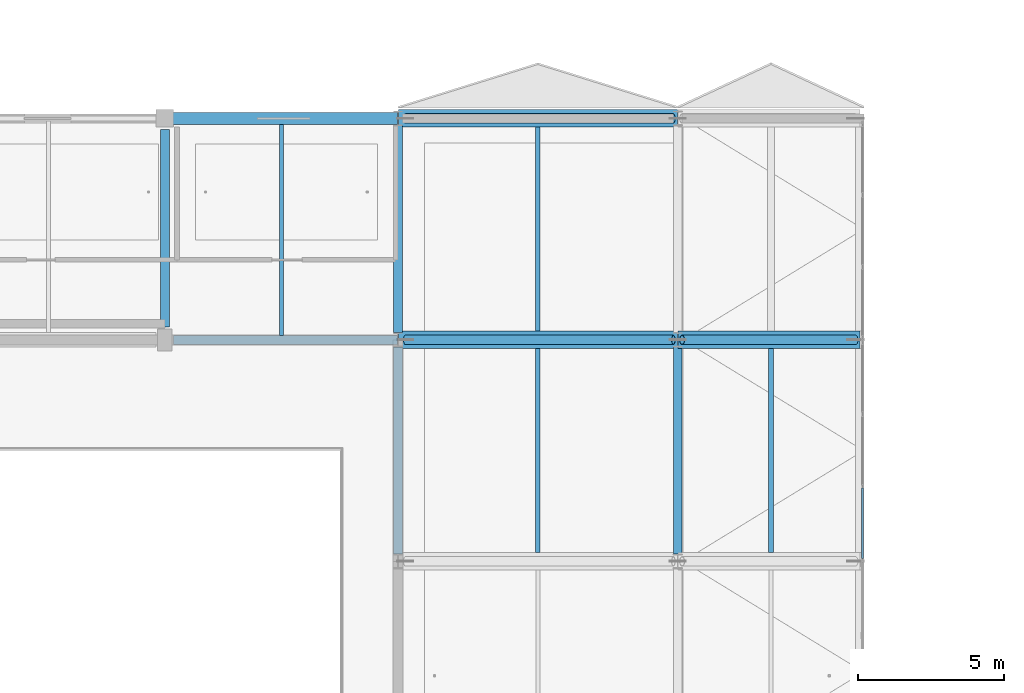
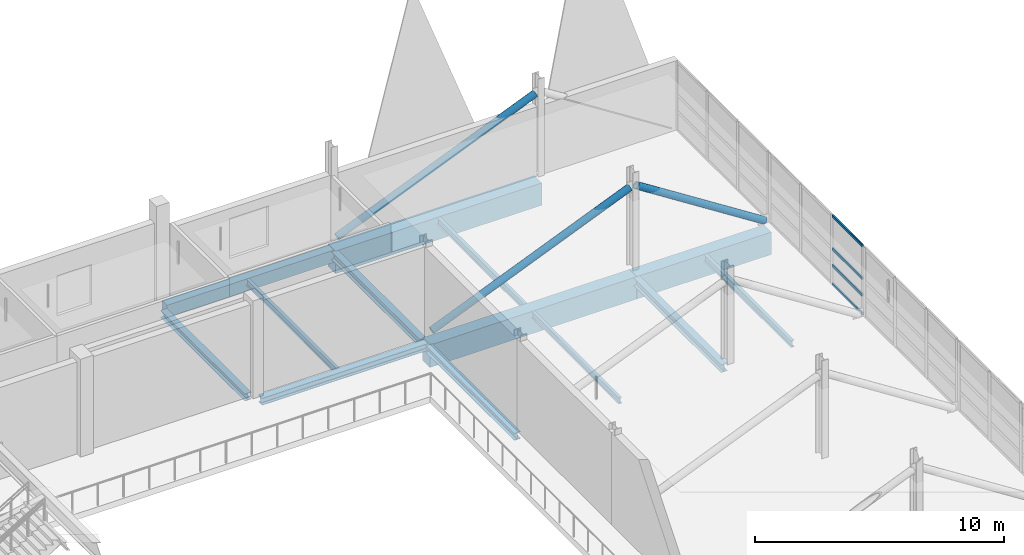
# One storey, part 23 of 147: 13 beams, 7 members, 1 element without a shape of its own.
"""IFC4 building model written with IfcOpenShell, lengths in metres."""

from ifc_helpers import new_model, si_unit, direction, frame, origin, origin_2d, place, context, subcontext, project, spatial, rectangle, hollow_rectangle, hollow_circle, i_section, extrude, material, material_profile, profile_set, type_object, element, aggregate, save


model = new_model("IFC4")

# Units and contexts
model_context = context("Model", 3, precision=1e-05, world=origin(), true_north=direction((0.0, 1.0)))
body_context = subcontext(model_context, "Body", "Model", "MODEL_VIEW")
ifc_project = project(units=[si_unit("LENGTHUNIT", "METRE"), si_unit("AREAUNIT", "SQUARE_METRE"), si_unit("VOLUMEUNIT", "CUBIC_METRE"), si_unit("PLANEANGLEUNIT", "RADIAN"), si_unit("MASSUNIT", "GRAM", prefix="KILO")], contexts=[model_context])

# Site, building, storey
site_placement = place(None, origin())
site = spatial("IfcSite", under=ifc_project, at=site_placement, CompositionType="ELEMENT")
building_placement = place(site_placement, origin())
building = spatial("IfcBuilding", under=site, at=building_placement, Name="Khelvaren Railside Concert Hall", CompositionType="ELEMENT")
storey_placement = place(building_placement, frame((0.0, 0.0, 5.39990234375)))
storey = spatial("IfcBuildingStorey", under=building, at=storey_placement, Name="L01", CompositionType="ELEMENT", Elevation=5.39990234375)

# Beams
ifc_material_1 = material(Name="Steel S355", Category="steel")
ifc_material_profile_1 = material_profile(ifc_material_1, i_section(OverallWidth=0.300048828125, OverallDepth=0.389892578125, WebThickness=0.010986328125, FlangeThickness=0.01904296875, FilletRadius=0.027099609375, at=origin_2d()), Name="HEA 400")
ifc_profile_set_1 = profile_set([ifc_material_profile_1], Name="Steel S355")
beam_type_1 = type_object("IfcBeamType", Name="BM23", PredefinedType="BEAM", material=ifc_profile_set_1)
for number, where, z_axis, x_axis, name in (
    (1, (40.0, 38.25, -0.494873046875), (0.0, 1.0, 0.0), (-1.0, 0.0, 0.0), "V1 L01 Beam Y6.6"),
    (2, (49.60009765625, 30.64990234375, -0.494873046875), (0.0, 1.0, 0.0), (-1.0, 0.0, 0.0), "V1 L01 Beam Y7.5"),
):
    element("IfcBeam", number, at=place(storey_placement, frame(where, z_axis=z_axis, x_axis=x_axis)), inside=storey, type_object=beam_type_1, Name=name, PredefinedType="BEAM", context=body_context, shape_type="SweptSolid", body=[
        extrude(i_section(OverallWidth=0.300048828125, OverallDepth=0.389892578125, WebThickness=0.010986328125, FlangeThickness=0.01904296875, FilletRadius=0.027099609375, at=origin_2d()), origin(), (0.0, 0.0, 1.0), 7.10009765625),
    ])
ifc_material_profile_2 = material_profile(ifc_material_1, i_section(OverallWidth=0.300048828125, OverallDepth=0.35009765625, WebThickness=0.010009765625, FlangeThickness=0.017578125, FilletRadius=0.027099609375, at=origin_2d()), Name="HEA 360")
ifc_profile_set_2 = profile_set([ifc_material_profile_2], Name="Steel S355")
beam_type_2 = type_object("IfcBeamType", Name="BM73", PredefinedType="BEAM", material=ifc_profile_set_2)
beam_1_placement = place(storey_placement, frame((32.300048828125, 38.0, -0.474853515625), z_axis=(1.0, 0.0, 0.0), x_axis=(0.0, 1.0, 0.0)))
element("IfcBeam", 3, at=beam_1_placement, inside=storey, type_object=beam_type_2, Name="V1 L01 Beam X6.5", PredefinedType="BEAM", context=body_context, shape_type="SweptSolid", body=[
    extrude(i_section(OverallWidth=0.300048828125, OverallDepth=0.35009765625, WebThickness=0.010009765625, FlangeThickness=0.017578125, FilletRadius=0.027099609375, at=origin_2d()), origin(), (0.0, 0.0, 1.0), 7.68994140625),
])
beam_2_placement = place(storey_placement, frame((32.0, 38.449951171875, -0.474853515625), z_axis=(0.0, 1.0, 0.0), x_axis=(-1.0, 0.0, 0.0)))
element("IfcBeam", 4, at=beam_2_placement, inside=storey, type_object=beam_type_2, Name="V1 L01 Beam Y5.6", PredefinedType="BEAM", context=body_context, shape_type="SweptSolid", body=[
    extrude(i_section(OverallWidth=0.300048828125, OverallDepth=0.35009765625, WebThickness=0.010009765625, FlangeThickness=0.017578125, FilletRadius=0.027099609375, at=origin_2d()), origin(), (0.0, 0.0, 1.0), 6.775146484375),
])
beam_3_placement = place(storey_placement, frame((40.0, 30.64990234375, -0.474853515625), z_axis=(0.0, 1.0, 0.0), x_axis=(-1.0, 0.0, 0.0)))
element("IfcBeam", 5, at=beam_3_placement, inside=storey, type_object=beam_type_2, Name="V1 L01 Beam Y6.5", PredefinedType="BEAM", context=body_context, shape_type="SweptSolid", body=[
    extrude(i_section(OverallWidth=0.300048828125, OverallDepth=0.35009765625, WebThickness=0.010009765625, FlangeThickness=0.017578125, FilletRadius=0.027099609375, at=origin_2d()), origin(), (0.0, 0.0, 1.0), 7.10009765625),
])

# Members
ifc_material_profile_3 = material_profile(ifc_material_1, hollow_circle(Radius=0.161865234375, WallThickness=0.01611328125, at=origin_2d()), Name="CHS 323.9x16")
ifc_profile_set_3 = profile_set([ifc_material_profile_3], Name="Steel S355")
member_type_1 = type_object("IfcMemberType", Name="BR78", PredefinedType="BRACE", material=ifc_profile_set_3)
member_1_placement = place(storey_placement, frame((49.75, 38.0, 3.960205078125), z_axis=(0.842137077221, 0.0, -0.539263519228), x_axis=(0.0, 1.0, 0.0)))
element("IfcMember", 6, at=member_1_placement, inside=storey, type_object=member_type_1, Name="V1 L01 Plaza Cantilever Truss Diagonal 6A", PredefinedType="BRACE", context=body_context, shape_type="SweptSolid", body=[
    extrude(hollow_circle(Radius=0.161865234375, WallThickness=0.01611328125, at=origin_2d()), origin(), (0.0, 0.0, 1.0), 7.065185546875),
])
for number, where, z_axis, x_axis, name in (
    (7, (40.25, 38.0, 0.150146484375), (0.923903885845, 0.0, 0.382624632925), (0.0, 1.0, 0.0), "V1 L01 Plaza Cantilever Truss Backspan Diagonal 6B"),
    (8, (40.25, 45.60009765625, 0.150146484375), (0.923903885845, 0.0, 0.382624632925), (0.0, 1.0, 0.0), "V1 L01 Plaza Cantilever Truss Backspan Diagonal 7B"),
):
    element("IfcMember", number, at=place(storey_placement, frame(where, z_axis=z_axis, x_axis=x_axis)), inside=storey, type_object=member_type_1, Name=name, PredefinedType="BRACE", context=body_context, shape_type="SweptSolid", body=[
        extrude(hollow_circle(Radius=0.161865234375, WallThickness=0.01611328125, at=origin_2d()), origin(), (0.0, 0.0, 1.0), 9.957763671875),
    ])

# Curtain wall, members
ifc_material_2 = material(Name="Double-glazed low-E dark acoustic glass", Category="glass")
curtain_wall_type = type_object("IfcCurtainWallType", Name="CW65", PredefinedType="USERDEFINED", material=ifc_material_2)
curtain_wall_placement = place(storey_placement, origin())
curtain_wall = element("IfcCurtainWall", 9, at=curtain_wall_placement, inside=storey, type_object=curtain_wall_type, Name="Unitised Curtain Wall CW-V1-L01-E-30", ObjectType="UNITISED CURTAIN WALL", PredefinedType="USERDEFINED")
ifc_material_3 = material(Name="Anodised architectural aluminium 6063-T6", Category="aluminium")
ifc_material_profile_4 = material_profile(ifc_material_3, hollow_rectangle(XDim=0.06494140625, YDim=0.139892578125, WallThickness=0.00390625, InnerFilletRadius=0.001953125, OuterFilletRadius=0.00390625, at=origin_2d()), Name="CWT 65x140x4")
ifc_profile_set_4 = profile_set([ifc_material_profile_4], Name="Anodised architectural aluminium 6063-T6")
member_type_2 = type_object("IfcMemberType", Name="CWT72", PredefinedType="USERDEFINED", material=ifc_profile_set_4)
member_2_placement = place(storey_placement, frame((55.93994140625, 32.9140625, 0.03271484375), z_axis=(0.0, -1.0, 0.0), x_axis=(1.0, 0.0, 0.0)))
member_2 = element("IfcMember", 10, at=member_2_placement, type_object=member_type_2, Name="CW65 transom 3.1", ObjectType="TRANSOM", PredefinedType="USERDEFINED", context=body_context, shape_type="SweptSolid", body=[
    extrude(hollow_rectangle(XDim=0.06494140625, YDim=0.139892578125, WallThickness=0.00390625, InnerFilletRadius=0.001953125, OuterFilletRadius=0.00390625, at=origin_2d()), origin(), (0.0, 0.0, 1.0), 2.4091796875),
])
member_3_placement = place(storey_placement, frame((55.93994140625, 32.9140625, 0.9501953125), z_axis=(0.0, -1.0, 0.0), x_axis=(1.0, 0.0, 0.0)))
member_3 = element("IfcMember", 11, at=member_3_placement, type_object=member_type_2, Name="CW65 transom 3.2", ObjectType="TRANSOM", PredefinedType="USERDEFINED", context=body_context, shape_type="SweptSolid", body=[
    extrude(hollow_rectangle(XDim=0.06494140625, YDim=0.139892578125, WallThickness=0.00390625, InnerFilletRadius=0.001953125, OuterFilletRadius=0.00390625, at=origin_2d()), origin(), (0.0, 0.0, 1.0), 2.4091796875),
])
member_4_placement = place(storey_placement, frame((55.93994140625, 32.9140625, 1.76806640625), z_axis=(0.0, -1.0, 0.0), x_axis=(1.0, 0.0, 0.0)))
member_4 = element("IfcMember", 12, at=member_4_placement, type_object=member_type_2, Name="CW65 transom 3.3", ObjectType="TRANSOM", PredefinedType="USERDEFINED", context=body_context, shape_type="SweptSolid", body=[
    extrude(hollow_rectangle(XDim=0.06494140625, YDim=0.139892578125, WallThickness=0.00390625, InnerFilletRadius=0.001953125, OuterFilletRadius=0.00390625, at=origin_2d()), origin(), (0.0, 0.0, 1.0), 2.4091796875),
])
member_5_placement = place(storey_placement, frame((55.93994140625, 32.9140625, 3.36767578125), z_axis=(0.0, -1.0, 0.0), x_axis=(1.0, 0.0, 0.0)))
member_5 = element("IfcMember", 13, at=member_5_placement, type_object=member_type_2, Name="CW65 transom 3.4", ObjectType="TRANSOM", PredefinedType="USERDEFINED", context=body_context, shape_type="SweptSolid", body=[
    extrude(hollow_rectangle(XDim=0.06494140625, YDim=0.139892578125, WallThickness=0.00390625, InnerFilletRadius=0.001953125, OuterFilletRadius=0.00390625, at=origin_2d()), origin(), (0.0, 0.0, 1.0), 2.4091796875),
])
aggregate(curtain_wall, [member_2, member_3, member_4, member_5])

# Beams
ifc_material_4 = material(Name="Concrete C40/50", Category="concrete")
ifc_material_profile_5 = material_profile(ifc_material_4, rectangle(XDim=0.60009765625, YDim=1.10009765625, at=origin_2d()), Name="RCB 600x1100")
ifc_profile_set_5 = profile_set([ifc_material_profile_5], Name="Concrete C40/50")
beam_type_3 = type_object("IfcBeamType", Name="GR15", PredefinedType="T_BEAM", material=ifc_profile_set_5)
beam_4_placement = place(storey_placement, frame((40.010009765625, 38.0, -0.849853515625), z_axis=(1.0, 0.0, 0.0), x_axis=(0.0, 1.0, 0.0)))
element("IfcBeam", 14, at=beam_4_placement, inside=storey, type_object=beam_type_3, Name="V1 L01 Cantilever Backspan Girder 6", PredefinedType="T_BEAM", context=body_context, shape_type="SweptSolid", body=[
    extrude(rectangle(XDim=0.60009765625, YDim=1.10009765625, at=origin_2d()), origin(), (0.0, 0.0, 1.0), 9.580078125),
])
beam_5_placement = place(storey_placement, frame((49.610107421875, 38.0, -0.849853515625), z_axis=(1.0, 0.0, 0.0), x_axis=(0.0, 1.0, 0.0)))
element("IfcBeam", 15, at=beam_5_placement, inside=storey, type_object=beam_type_3, Name="V1 L01 Arrival Cantilever Girder 6", PredefinedType="T_BEAM", context=body_context, shape_type="SweptSolid", body=[
    extrude(rectangle(XDim=0.60009765625, YDim=1.10009765625, at=origin_2d()), origin(), (0.0, 0.0, 1.0), 6.239990234375),
])
beam_6_placement = place(storey_placement, frame((40.010009765625, 45.60009765625, -0.849853515625), z_axis=(1.0, 0.0, 0.0), x_axis=(0.0, 1.0, 0.0)))
element("IfcBeam", 16, at=beam_6_placement, inside=storey, type_object=beam_type_3, Name="V1 L01 Cantilever Backspan Girder 7", PredefinedType="T_BEAM", context=body_context, shape_type="SweptSolid", body=[
    extrude(rectangle(XDim=0.60009765625, YDim=1.10009765625, at=origin_2d()), origin(), (0.0, 0.0, 1.0), 9.580078125),
])
ifc_material_profile_6 = material_profile(ifc_material_1, i_section(OverallWidth=0.14990234375, OverallDepth=0.300048828125, WebThickness=0.007080078125, FlangeThickness=0.0107421875, FilletRadius=0.014892578125, at=origin_2d()), Name="IPE 300")
ifc_profile_set_6 = profile_set([ifc_material_profile_6], Name="Steel S355")
beam_type_4 = type_object("IfcBeamType", Name="JS26", PredefinedType="JOIST", material=ifc_profile_set_6)
beam_7_placement = place(storey_placement, frame((36.0, 38.14990234375, -0.449951171875), z_axis=(0.0, 1.0, 0.0), x_axis=(-1.0, 0.0, 0.0)))
element("IfcBeam", 17, at=beam_7_placement, inside=storey, type_object=beam_type_4, Name="V1 L01 Secondary Joist 5.6", PredefinedType="JOIST", context=body_context, shape_type="SweptSolid", body=[
    extrude(i_section(OverallWidth=0.14990234375, OverallDepth=0.300048828125, WebThickness=0.007080078125, FlangeThickness=0.0107421875, FilletRadius=0.014892578125, at=origin_2d()), origin(), (0.0, 0.0, 1.0), 7.25),
])
beam_8_placement = place(storey_placement, frame((44.800048828125, 30.699951171875, -0.449951171875), z_axis=(0.0, 1.0, 0.0), x_axis=(-1.0, 0.0, 0.0)))
element("IfcBeam", 18, at=beam_8_placement, inside=storey, type_object=beam_type_4, Name="V1 L01 Secondary Joist 6.5", PredefinedType="JOIST", context=body_context, shape_type="SweptSolid", body=[
    extrude(i_section(OverallWidth=0.14990234375, OverallDepth=0.300048828125, WebThickness=0.007080078125, FlangeThickness=0.0107421875, FilletRadius=0.014892578125, at=origin_2d()), origin(), (0.0, 0.0, 1.0), 7.0),
])
ifc_material_profile_7 = material_profile(ifc_material_1, i_section(OverallWidth=0.159912109375, OverallDepth=0.330078125, WebThickness=0.007568359375, FlangeThickness=0.011474609375, FilletRadius=0.01806640625, at=origin_2d()), Name="IPE 330")
ifc_profile_set_7 = profile_set([ifc_material_profile_7], Name="Steel S355")
beam_type_5 = type_object("IfcBeamType", Name="JS65", PredefinedType="JOIST", material=ifc_profile_set_7)
for number, where, z_axis, x_axis, name in (
    (19, (44.800048828125, 38.300048828125, -0.46484375), (0.0, 1.0, 0.0), (-1.0, 0.0, 0.0), "V1 L01 Secondary Joist 6.6"),
    (20, (52.800048828125, 30.699951171875, -0.46484375), (0.0, 1.0, 0.0), (-1.0, 0.0, 0.0), "V1 L01 Secondary Joist 7.5"),
):
    element("IfcBeam", number, at=place(storey_placement, frame(where, z_axis=z_axis, x_axis=x_axis)), inside=storey, type_object=beam_type_5, Name=name, PredefinedType="JOIST", context=body_context, shape_type="SweptSolid", body=[
        extrude(i_section(OverallWidth=0.159912109375, OverallDepth=0.330078125, WebThickness=0.007568359375, FlangeThickness=0.011474609375, FilletRadius=0.01806640625, at=origin_2d()), origin(), (0.0, 0.0, 1.0), 7.0),
    ])
ifc_material_profile_8 = material_profile(ifc_material_4, rectangle(XDim=0.39990234375, YDim=0.60009765625, at=origin_2d()), Name="RCB 400x600")
ifc_profile_set_8 = profile_set([ifc_material_profile_8], Name="Concrete C40/50")
beam_type_6 = type_object("IfcBeamType", Name="SP75", PredefinedType="SPANDREL", material=ifc_profile_set_8)
beam_9_placement = place(storey_placement, frame((32.25, 45.60009765625, -0.599853515625), z_axis=(1.0, 0.0, 0.0), x_axis=(0.0, 1.0, 0.0)))
element("IfcBeam", 21, at=beam_9_placement, inside=storey, type_object=beam_type_6, Name="V1 L01 Spandrel X7.5", PredefinedType="SPANDREL", context=body_context, shape_type="SweptSolid", body=[
    extrude(rectangle(XDim=0.39990234375, YDim=0.60009765625, at=origin_2d()), origin(), (0.0, 0.0, 1.0), 7.739990234375),
])

save(model, "model.ifc")
